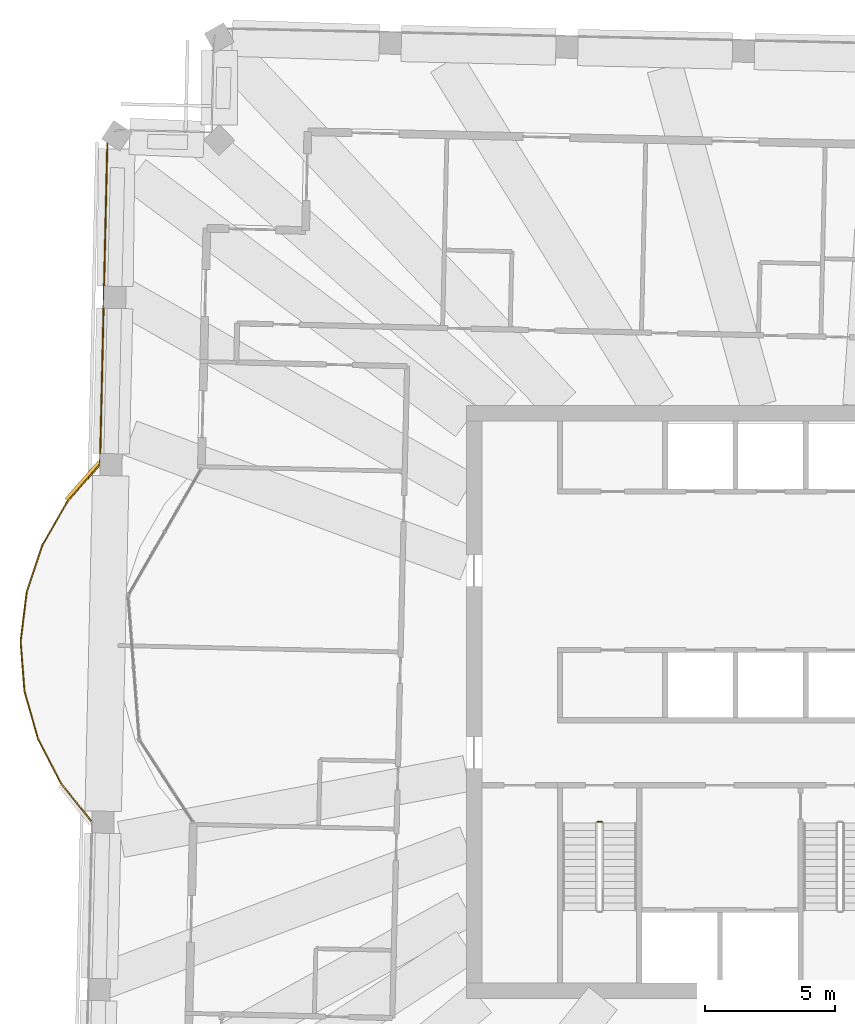
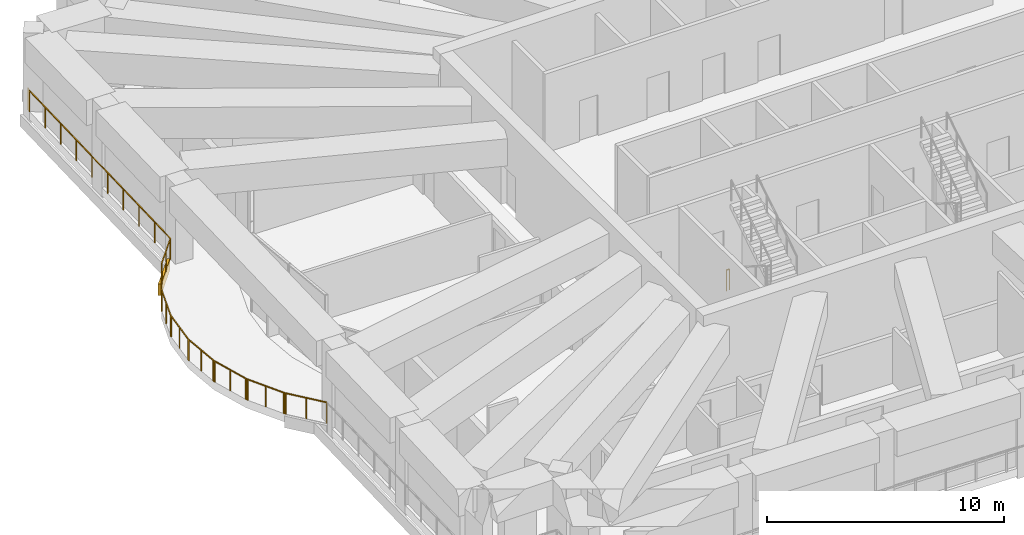
# One storey, part 14 of 17: 2 railings, 1 covering.
"""IFC4 building model written with IfcOpenShell, lengths in metres."""

from ifc_helpers import new_model, si_unit, direction, frame, frame_2d, origin, origin_2d, place, context, subcontext, project, spatial, rectangle, extrude, material, layer, layer_set, type_object, element, save


model = new_model("IFC4")

# Units and contexts
model_context = context("Model", 3, precision=1e-05, world=origin(), true_north=direction((0.0, 1.0)))
body_context = subcontext(model_context, "Body", "Model", "MODEL_VIEW")
ifc_project = project(units=[si_unit("LENGTHUNIT", "METRE"), si_unit("AREAUNIT", "SQUARE_METRE"), si_unit("VOLUMEUNIT", "CUBIC_METRE"), si_unit("PLANEANGLEUNIT", "RADIAN"), si_unit("MASSUNIT", "GRAM", prefix="KILO")], contexts=[model_context])

# Site, building, storey
site_placement = place(None, origin())
site = spatial("IfcSite", under=ifc_project, at=site_placement, CompositionType="ELEMENT")
building_placement = place(site_placement, origin())
building = spatial("IfcBuilding", under=site, at=building_placement, Name="Mangrove Gate Tower", CompositionType="ELEMENT")
storey_placement = place(building_placement, frame((0.0, 0.0, 337.89990234375)))
storey = spatial("IfcBuildingStorey", under=building, at=storey_placement, Name="L86", CompositionType="ELEMENT", Elevation=337.89990234375)

# Railings
ifc_material_1 = material(Name="Stainless steel grade 316 with laminated glass infill", Category="steel")
railing_type_1 = type_object("IfcRailingType", Name="Balcony guard 1100", PredefinedType="GUARDRAIL", material=ifc_material_1)
railing_1_placement = place(storey_placement, frame((-28.806884765625, -4.60009765625, 0.0)))
element("IfcRailing", 1, at=railing_1_placement, inside=storey, type_object=railing_type_1, Name="GUARD L86 T3.1", PredefinedType="GUARDRAIL", context=body_context, shape_type="SweptSolid", body=[
    extrude(rectangle(XDim=0.048095703125, YDim=0.048095703125, at=origin_2d()), frame((0.0, 0.0, 1.076171875), z_axis=(-0.625595973745, 0.78014721536, 0.0), x_axis=(-0.78014721536, -0.625595973745, 0.0)), (0.0, 0.0, 1.0), 1.849853515625),
    extrude(rectangle(XDim=0.048095703125, YDim=0.048095703125, at=origin_2d()), frame((-1.1572265625, 1.443115234375, 1.076171875), z_axis=(-0.574769244932, 0.818315535158, 0.0), x_axis=(-0.818315535158, -0.574769244932, 0.0)), (0.0, 0.0, 1.0), 0.050048828125),
    extrude(rectangle(XDim=0.048095703125, YDim=0.048095703125, at=origin_2d()), frame((-1.18603515625, 1.484130859375, 1.076171875), z_axis=(-0.519484808927, 0.854479685712, 0.0), x_axis=(-0.854479685712, -0.519484808927, 0.0)), (0.0, 0.0, 1.0), 0.05029296875),
    extrude(rectangle(XDim=0.048095703125, YDim=0.048095703125, at=origin_2d()), frame((-1.212158203125, 1.527099609375, 1.076171875), z_axis=(-0.45843707563, 0.888726869003, 0.0), x_axis=(-0.888726869003, -0.45843707563, 0.0)), (0.0, 0.0, 1.0), 1.812744140625),
    extrude(rectangle(XDim=0.048095703125, YDim=0.048095703125, at=origin_2d()), frame((-2.043212890625, 3.13818359375, 1.076171875), z_axis=(-0.407059440224, 0.913401670747, 0.0), x_axis=(-0.913401670747, -0.407059440224, 0.0)), (0.0, 0.0, 1.0), 0.049072265625),
    extrude(rectangle(XDim=0.048095703125, YDim=0.048095703125, at=origin_2d()), frame((-2.063232421875, 3.18310546875, 1.076171875), z_axis=(-0.313333982663, 0.949642993608, 0.0), x_axis=(-0.949642993608, -0.313333982663, 0.0)), (0.0, 0.0, 1.0), 0.050537109375),
    extrude(rectangle(XDim=0.048095703125, YDim=0.048095703125, at=origin_2d()), frame((-2.0791015625, 3.231201171875, 1.076171875), z_axis=(-0.273261504961, 0.961939784969, 0.0), x_axis=(-0.961939784969, -0.273261504961, 0.0)), (0.0, 0.0, 1.0), 1.811767578125),
    extrude(rectangle(XDim=0.048095703125, YDim=0.048095703125, at=origin_2d()), frame((-2.57421875, 4.97412109375, 1.076171875), z_axis=(-0.236844906121, 0.971547472049, 0.0), x_axis=(-0.971547472049, -0.236844906121, 0.0)), (0.0, 0.0, 1.0), 0.050537109375),
    extrude(rectangle(XDim=0.048095703125, YDim=0.048095703125, at=origin_2d()), frame((-2.586181640625, 5.023193359375, 1.076171875), z_axis=(-0.119145220618, 0.992876838487, 0.0), x_axis=(-0.992876838487, -0.119145220618, 0.0)), (0.0, 0.0, 1.0), 0.049072265625),
    extrude(rectangle(XDim=0.048095703125, YDim=0.048095703125, at=origin_2d()), frame((-2.592041015625, 5.072021484375, 1.076171875), z_axis=(-0.076737678998, 0.997051316945, 0.0), x_axis=(-0.997051316945, -0.076737678998, 0.0)), (0.0, 0.0, 1.0), 1.8134765625),
    extrude(rectangle(XDim=0.048095703125, YDim=0.048095703125, at=origin_2d()), frame((-2.731201171875, 6.880126953125, 1.076171875), z_axis=(-0.039769507669, 0.999208880195, 0.0), x_axis=(-0.999208880195, -0.039769507669, 0.0)), (0.0, 0.0, 1.0), 0.049072265625),
    extrude(rectangle(XDim=0.048095703125, YDim=0.048095703125, at=origin_2d()), frame((-2.733154296875, 6.92919921875, 1.076171875), z_axis=(0.083045479854, 0.996545758245, 0.0), x_axis=(-0.996545758245, 0.083045479854, 0.0)), (0.0, 0.0, 1.0), 0.050048828125),
    extrude(rectangle(XDim=0.048095703125, YDim=0.048095703125, at=origin_2d()), frame((-2.72900390625, 6.97900390625, 1.076171875), z_axis=(0.12189595733, 0.9925428835, 0.0), x_axis=(-0.9925428835, 0.12189595733, 0.0)), (0.0, 0.0, 1.0), 1.8125),
    extrude(rectangle(XDim=0.048095703125, YDim=0.048095703125, at=origin_2d()), frame((-2.508056640625, 8.778076171875, 1.076171875), z_axis=(0.181037892988, 0.983476121369, 0.0), x_axis=(-0.983476121369, 0.181037892988, 0.0)), (0.0, 0.0, 1.0), 0.0498046875),
    extrude(rectangle(XDim=0.048095703125, YDim=0.048095703125, at=origin_2d()), frame((-2.4990234375, 8.8271484375, 1.076171875), z_axis=(0.261033073796, 0.965329857813, 0.0), x_axis=(-0.965329857813, 0.261033073796, 0.0)), (0.0, 0.0, 1.0), 0.049560546875),
    extrude(rectangle(XDim=0.048095703125, YDim=0.048095703125, at=origin_2d()), frame((-2.486083984375, 8.875, 1.076171875), z_axis=(0.316510470813, 0.948589016311, 0.0), x_axis=(-0.948589016311, 0.316510470813, 0.0)), (0.0, 0.0, 1.0), 1.8134765625),
    extrude(rectangle(XDim=0.048095703125, YDim=0.048095703125, at=origin_2d()), frame((-1.912109375, 10.59521484375, 1.076171875), z_axis=(0.366264831108, 0.930510652004, 0.0), x_axis=(-0.930510652004, 0.366264831108, 0.0)), (0.0, 0.0, 1.0), 0.04931640625),
    extrude(rectangle(XDim=0.048095703125, YDim=0.048095703125, at=origin_2d()), frame((-1.89404296875, 10.64111328125, 1.076171875), z_axis=(0.45494050276, 0.890521835189, 0.0), x_axis=(-0.890521835189, 0.45494050276, 0.0)), (0.0, 0.0, 1.0), 0.050537109375),
    extrude(rectangle(XDim=0.048095703125, YDim=0.048095703125, at=origin_2d()), frame((-1.87109375, 10.68603515625, 1.076171875), z_axis=(0.498357212209, 0.866971792528, 0.0), x_axis=(-0.866971792528, 0.498357212209, 0.0)), (0.0, 0.0, 1.0), 1.81201171875),
    extrude(rectangle(XDim=0.048095703125, YDim=0.048095703125, at=origin_2d()), frame((-0.968017578125, 12.257080078125, 1.076171875), z_axis=(0.538775689721, 0.842449260291, 0.0), x_axis=(-0.842449260291, 0.538775689721, 0.0)), (0.0, 0.0, 1.0), 0.0498046875),
    extrude(rectangle(XDim=0.048095703125, YDim=0.048095703125, at=origin_2d()), frame((-0.941162109375, 12.299072265625, 1.076171875), z_axis=(0.621705532722, 0.783251064846, 0.0), x_axis=(-0.783251064846, 0.621705532722, 0.0)), (0.0, 0.0, 1.0), 0.0498046875),
    extrude(rectangle(XDim=0.048095703125, YDim=0.048095703125, at=origin_2d()), frame((-0.91015625, 12.338134765625, 1.076171875), z_axis=(0.660267978545, 0.751030090281, 0.0), x_axis=(-0.751030090281, 0.660267978545, 0.0)), (0.0, 0.0, 1.0), 1.8505859375),
    extrude(rectangle(XDim=0.048095703125, YDim=0.048095703125, at=origin_2d()), frame((0.311767578125, 13.72802734375, 1.076171875), z_axis=(0.616881663227, 0.787055915151, 0.0), x_axis=(-0.787055915151, 0.616881663227, 0.0)), (0.0, 0.0, 1.0), 0.011474609375),
    extrude(rectangle(XDim=0.048095703125, YDim=0.048095703125, at=origin_2d()), frame((0.31884765625, 13.737060546875, 1.076171875), z_axis=(0.075257669471, 0.997164120487, 0.0), x_axis=(-0.997164120487, 0.075257669471, 0.0)), (0.0, 0.0, 1.0), 0.012939453125),
    extrude(rectangle(XDim=0.048095703125, YDim=0.048095703125, at=origin_2d()), frame((0.31982421875, 13.75, 1.076171875), z_axis=(0.022730826032, 0.999741621394, 0.0), x_axis=(-0.999741621394, 0.022730826032, 0.0)), (0.0, 0.0, 1.0), 12.3623046875),
    extrude(rectangle(XDim=0.048095703125, YDim=0.048095703125, at=origin_2d()), frame((0.600830078125, 26.109130859375, 1.076171875), z_axis=(0.064541766595, 0.997915006584, 0.0), x_axis=(-0.997915006584, 0.064541766595, 0.0)), (0.0, 0.0, 1.0), 0.049072265625),
    extrude(rectangle(XDim=0.048095703125, YDim=0.048095703125, at=origin_2d()), frame((0.60400390625, 26.158203125, 1.076171875), z_axis=(0.180651520328, 0.983547166232, 0.0), x_axis=(-0.983547166232, 0.180651520328, 0.0)), (0.0, 0.0, 1.0), 0.048583984375),
    extrude(rectangle(XDim=0.048095703125, YDim=0.048095703125, at=origin_2d()), frame((0.61279296875, 26.2060546875, 1.076171875), z_axis=(0.269444841931, 0.963015823939, 0.0), x_axis=(-0.963015823939, 0.269444841931, 0.0)), (0.0, 0.0, 1.0), 0.048828125),
    extrude(rectangle(XDim=0.048095703125, YDim=0.048095703125, at=origin_2d()), frame((0.6259765625, 26.253173828125, 1.076171875), z_axis=(0.344548077029, 0.938768673644, 0.0), x_axis=(-0.938768673644, 0.344548077029, 0.0)), (0.0, 0.0, 1.0), 0.048828125),
    extrude(rectangle(XDim=0.048095703125, YDim=0.048095703125, at=origin_2d()), frame((0.642822265625, 26.299072265625, 1.076171875), z_axis=(0.464328266824, 0.885663175608, 0.0), x_axis=(-0.885663175608, 0.464328266824, 0.0)), (0.0, 0.0, 1.0), 0.0283203125),
    extrude(rectangle(XDim=0.0419921875, YDim=0.0419921875, at=origin_2d()), origin(), (0.0, 0.0, 1.0), 1.052001953125),
    extrude(rectangle(XDim=0.0419921875, YDim=0.0419921875, at=origin_2d()), frame((-0.57861328125, 0.7216796875, 0.0)), (0.0, 0.0, 1.0), 1.052001953125),
    extrude(rectangle(XDim=0.0419921875, YDim=0.0419921875, at=origin_2d()), frame((-1.1572265625, 1.443115234375, 0.0)), (0.0, 0.0, 1.0), 1.052001953125),
    extrude(rectangle(XDim=0.0419921875, YDim=0.0419921875, at=origin_2d()), frame((-1.18603515625, 1.484130859375, 0.0)), (0.0, 0.0, 1.0), 1.052001953125),
    extrude(rectangle(XDim=0.0419921875, YDim=0.0419921875, at=origin_2d()), frame((-1.212158203125, 1.527099609375, 0.0)), (0.0, 0.0, 1.0), 1.052001953125),
    extrude(rectangle(XDim=0.0419921875, YDim=0.0419921875, at=origin_2d()), frame((-1.627685546875, 2.33251953125, 0.0)), (0.0, 0.0, 1.0), 1.052001953125),
    extrude(rectangle(XDim=0.0419921875, YDim=0.0419921875, at=origin_2d()), frame((-2.043212890625, 3.13818359375, 0.0)), (0.0, 0.0, 1.0), 1.052001953125),
    extrude(rectangle(XDim=0.0419921875, YDim=0.0419921875, at=origin_2d()), frame((-2.063232421875, 3.18310546875, 0.0)), (0.0, 0.0, 1.0), 1.052001953125),
    extrude(rectangle(XDim=0.0419921875, YDim=0.0419921875, at=origin_2d()), frame((-2.0791015625, 3.231201171875, 0.0)), (0.0, 0.0, 1.0), 1.052001953125),
    extrude(rectangle(XDim=0.0419921875, YDim=0.0419921875, at=origin_2d()), frame((-2.32666015625, 4.1025390625, 0.0)), (0.0, 0.0, 1.0), 1.052001953125),
    extrude(rectangle(XDim=0.0419921875, YDim=0.0419921875, at=origin_2d()), frame((-2.57421875, 4.97412109375, 0.0)), (0.0, 0.0, 1.0), 1.052001953125),
    extrude(rectangle(XDim=0.0419921875, YDim=0.0419921875, at=origin_2d()), frame((-2.586181640625, 5.023193359375, 0.0)), (0.0, 0.0, 1.0), 1.052001953125),
    extrude(rectangle(XDim=0.0419921875, YDim=0.0419921875, at=origin_2d()), frame((-2.592041015625, 5.072021484375, 0.0)), (0.0, 0.0, 1.0), 1.052001953125),
    extrude(rectangle(XDim=0.0419921875, YDim=0.0419921875, at=origin_2d()), frame((-2.66162109375, 5.97607421875, 0.0)), (0.0, 0.0, 1.0), 1.052001953125),
    extrude(rectangle(XDim=0.0419921875, YDim=0.0419921875, at=origin_2d()), frame((-2.731201171875, 6.880126953125, 0.0)), (0.0, 0.0, 1.0), 1.052001953125),
    extrude(rectangle(XDim=0.0419921875, YDim=0.0419921875, at=origin_2d()), frame((-2.733154296875, 6.92919921875, 0.0)), (0.0, 0.0, 1.0), 1.052001953125),
    extrude(rectangle(XDim=0.0419921875, YDim=0.0419921875, at=origin_2d()), frame((-2.72900390625, 6.97900390625, 0.0)), (0.0, 0.0, 1.0), 1.052001953125),
    extrude(rectangle(XDim=0.0419921875, YDim=0.0419921875, at=origin_2d()), frame((-2.61865234375, 7.87841796875, 0.0)), (0.0, 0.0, 1.0), 1.052001953125),
    extrude(rectangle(XDim=0.0419921875, YDim=0.0419921875, at=origin_2d()), frame((-2.508056640625, 8.778076171875, 0.0)), (0.0, 0.0, 1.0), 1.052001953125),
    extrude(rectangle(XDim=0.0419921875, YDim=0.0419921875, at=origin_2d()), frame((-2.4990234375, 8.8271484375, 0.0)), (0.0, 0.0, 1.0), 1.052001953125),
    extrude(rectangle(XDim=0.0419921875, YDim=0.0419921875, at=origin_2d()), frame((-2.486083984375, 8.875, 0.0)), (0.0, 0.0, 1.0), 1.052001953125),
    extrude(rectangle(XDim=0.0419921875, YDim=0.0419921875, at=origin_2d()), frame((-2.19921875, 9.735107421875, 0.0)), (0.0, 0.0, 1.0), 1.052001953125),
    extrude(rectangle(XDim=0.0419921875, YDim=0.0419921875, at=origin_2d()), frame((-1.912109375, 10.59521484375, 0.0)), (0.0, 0.0, 1.0), 1.052001953125),
    extrude(rectangle(XDim=0.0419921875, YDim=0.0419921875, at=origin_2d()), frame((-1.89404296875, 10.64111328125, 0.0)), (0.0, 0.0, 1.0), 1.052001953125),
    extrude(rectangle(XDim=0.0419921875, YDim=0.0419921875, at=origin_2d()), frame((-1.87109375, 10.68603515625, 0.0)), (0.0, 0.0, 1.0), 1.052001953125),
    extrude(rectangle(XDim=0.0419921875, YDim=0.0419921875, at=origin_2d()), frame((-1.41943359375, 11.4716796875, 0.0)), (0.0, 0.0, 1.0), 1.052001953125),
    extrude(rectangle(XDim=0.0419921875, YDim=0.0419921875, at=origin_2d()), frame((-0.968017578125, 12.257080078125, 0.0)), (0.0, 0.0, 1.0), 1.052001953125),
    extrude(rectangle(XDim=0.0419921875, YDim=0.0419921875, at=origin_2d()), frame((-0.941162109375, 12.299072265625, 0.0)), (0.0, 0.0, 1.0), 1.052001953125),
    extrude(rectangle(XDim=0.0419921875, YDim=0.0419921875, at=origin_2d()), frame((-0.91015625, 12.338134765625, 0.0)), (0.0, 0.0, 1.0), 1.052001953125),
    extrude(rectangle(XDim=0.0419921875, YDim=0.0419921875, at=origin_2d()), frame((-0.29931640625, 13.033203125, 0.0)), (0.0, 0.0, 1.0), 1.052001953125),
    extrude(rectangle(XDim=0.0419921875, YDim=0.0419921875, at=origin_2d()), frame((0.311767578125, 13.72802734375, 0.0)), (0.0, 0.0, 1.0), 1.052001953125),
    extrude(rectangle(XDim=0.0419921875, YDim=0.0419921875, at=origin_2d()), frame((0.31884765625, 13.737060546875, 0.0)), (0.0, 0.0, 1.0), 1.052001953125),
    extrude(rectangle(XDim=0.0419921875, YDim=0.0419921875, at=origin_2d()), frame((0.31982421875, 13.75, 0.0)), (0.0, 0.0, 1.0), 1.052001953125),
    extrude(rectangle(XDim=0.0419921875, YDim=0.0419921875, at=origin_2d()), frame((0.35107421875, 15.123291015625, 0.0)), (0.0, 0.0, 1.0), 1.052001953125),
    extrude(rectangle(XDim=0.0419921875, YDim=0.0419921875, at=origin_2d()), frame((0.38232421875, 16.49658203125, 0.0)), (0.0, 0.0, 1.0), 1.052001953125),
    extrude(rectangle(XDim=0.0419921875, YDim=0.0419921875, at=origin_2d()), frame((0.41357421875, 17.86962890625, 0.0)), (0.0, 0.0, 1.0), 1.052001953125),
    extrude(rectangle(XDim=0.0419921875, YDim=0.0419921875, at=origin_2d()), frame((0.44482421875, 19.242919921875, 0.0)), (0.0, 0.0, 1.0), 1.052001953125),
    extrude(rectangle(XDim=0.0419921875, YDim=0.0419921875, at=origin_2d()), frame((0.475830078125, 20.6162109375, 0.0)), (0.0, 0.0, 1.0), 1.052001953125),
    extrude(rectangle(XDim=0.0419921875, YDim=0.0419921875, at=origin_2d()), frame((0.507080078125, 21.989501953125, 0.0)), (0.0, 0.0, 1.0), 1.052001953125),
    extrude(rectangle(XDim=0.0419921875, YDim=0.0419921875, at=origin_2d()), frame((0.538330078125, 23.362548828125, 0.0)), (0.0, 0.0, 1.0), 1.052001953125),
    extrude(rectangle(XDim=0.0419921875, YDim=0.0419921875, at=origin_2d()), frame((0.569580078125, 24.73583984375, 0.0)), (0.0, 0.0, 1.0), 1.052001953125),
    extrude(rectangle(XDim=0.0419921875, YDim=0.0419921875, at=origin_2d()), frame((0.600830078125, 26.109130859375, 0.0)), (0.0, 0.0, 1.0), 1.052001953125),
    extrude(rectangle(XDim=0.0419921875, YDim=0.0419921875, at=origin_2d()), frame((0.60400390625, 26.158203125, 0.0)), (0.0, 0.0, 1.0), 1.052001953125),
    extrude(rectangle(XDim=0.0419921875, YDim=0.0419921875, at=origin_2d()), frame((0.61279296875, 26.2060546875, 0.0)), (0.0, 0.0, 1.0), 1.052001953125),
    extrude(rectangle(XDim=0.0419921875, YDim=0.0419921875, at=origin_2d()), frame((0.6259765625, 26.253173828125, 0.0)), (0.0, 0.0, 1.0), 1.052001953125),
    extrude(rectangle(XDim=0.0419921875, YDim=0.0419921875, at=origin_2d()), frame((0.642822265625, 26.299072265625, 0.0)), (0.0, 0.0, 1.0), 1.052001953125),
    extrude(rectangle(XDim=0.0419921875, YDim=0.0419921875, at=origin_2d()), frame((0.656005859375, 26.32421875, 0.0)), (0.0, 0.0, 1.0), 1.052001953125),
])
ifc_material_2 = material(Name="Stainless steel 316", Category="steel")
railing_type_2 = type_object("IfcRailingType", Name="Core stair guard 1100", PredefinedType="GUARDRAIL", material=ifc_material_2)
railing_2_placement = place(storey_placement, frame((-9.35009765625, -4.60009765625, 0.0)))
element("IfcRailing", 2, at=railing_2_placement, inside=storey, type_object=railing_type_2, Name="L86 ST1 stair guard 4", PredefinedType="GUARDRAIL", context=body_context, shape_type="SweptSolid", body=[
    extrude(rectangle(XDim=0.048095703125, YDim=0.048095703125, at=origin_2d()), frame((0.0, 0.0, 1.076171875), z_axis=(1.0, 0.0, 0.0), x_axis=(0.0, 1.0, 0.0)), (0.0, 0.0, 1.0), 0.150146484375),
    extrude(rectangle(XDim=0.0419921875, YDim=0.0419921875, at=origin_2d()), origin(), (0.0, 0.0, 1.0), 1.052001953125),
    extrude(rectangle(XDim=0.0419921875, YDim=0.0419921875, at=origin_2d()), frame((0.150146484375, 0.0, 0.0)), (0.0, 0.0, 1.0), 1.052001953125),
])

# Covering
ifc_material_3 = material(Name="Limestone", Category="masonry")
ifc_layer_1 = layer(ifc_material_3, 0.0400390625, Name="Limestone cladding")
ifc_material_4 = material(Name="Stainless steel anchors and cavity", Category="steel")
ifc_layer_2 = layer(ifc_material_4, 0.080078125, Name="Fixing cavity")
ifc_layer_set = layer_set([ifc_layer_1, ifc_layer_2], Name="Joint fascia cladding 120")
covering_type = type_object("IfcCoveringType", Name="Joint fascia cladding 120", PredefinedType="CLADDING", material=ifc_layer_set)
covering_placement = place(storey_placement, frame((-29.784912109375, 7.798095703125, -0.599853515625), z_axis=(0.0, 0.0, 1.0), x_axis=(0.660367195698, 0.750942851917, 0.0)))
element("IfcCovering", 3, at=covering_placement, inside=storey, type_object=covering_type, Name="STONE FASCIA L86 Tcrown03-1.2", PredefinedType="CLADDING", context=body_context, shape_type="SweptSolid", body=[
    extrude(rectangle(XDim=1.900390625, YDim=0.1201171875, at=frame_2d((0.9501953125, 0.0))), origin(), (0.0, 0.0, 1.0), 0.599853515625),
])

save(model, "model.ifc")
